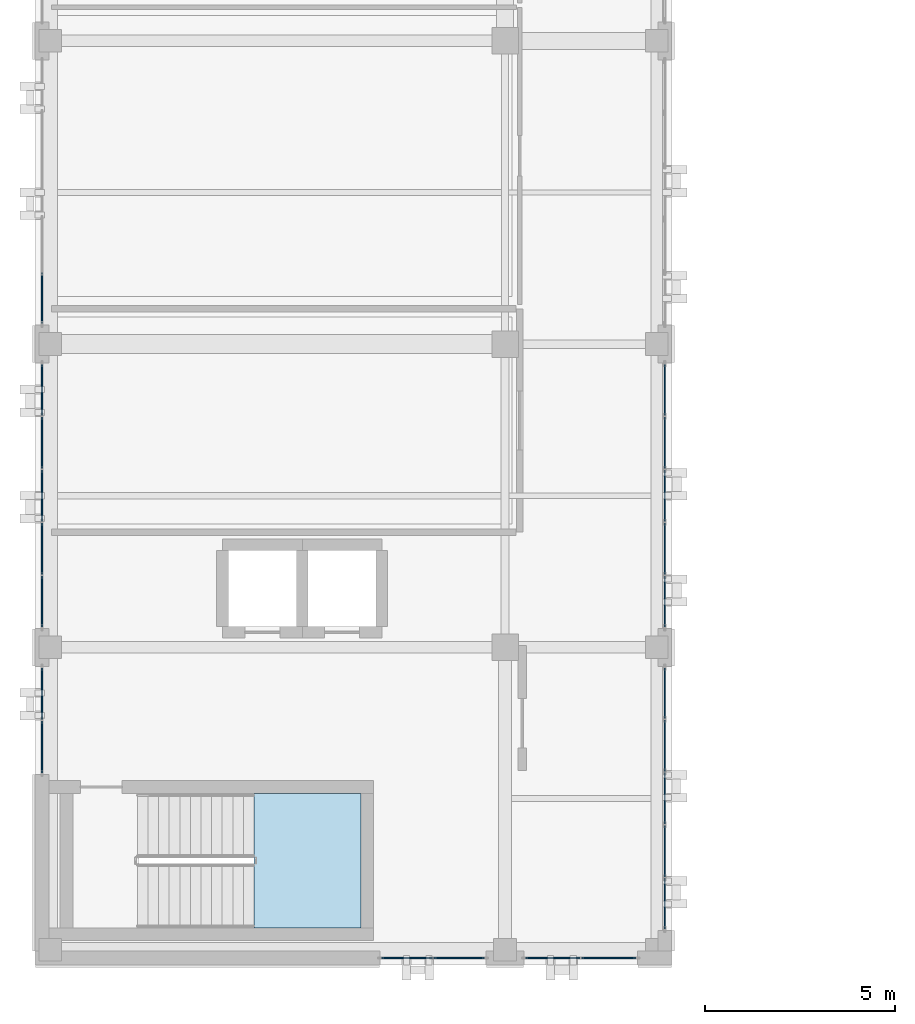
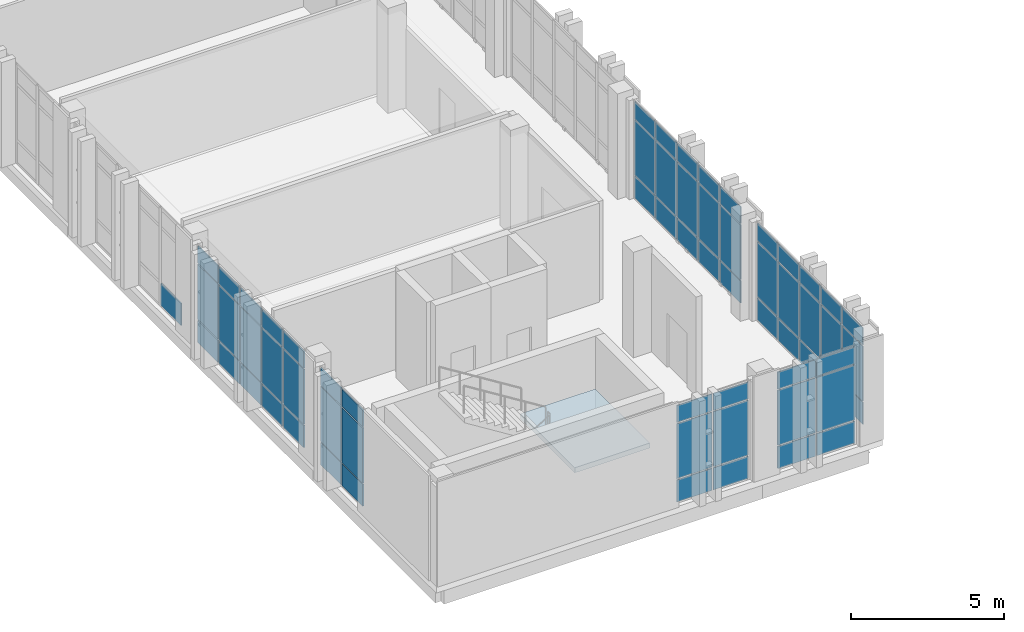
# One storey, part 51 of 77: 64 plates, 1 slab, 8 elements without a shape of their own.
"""IFC4 building model written with IfcOpenShell, lengths in metres."""

from ifc_helpers import new_model, si_unit, direction, frame, origin, origin_2d, place, context, subcontext, project, spatial, polyline, rectangle, outline, extrude, material, layer, layer_set, type_object, element, aggregate, save


model = new_model("IFC4")

# Units and contexts
model_context = context("Model", 3, precision=1e-05, world=origin(), true_north=direction((0.0, 1.0)))
body_context = subcontext(model_context, "Body", "Model", "MODEL_VIEW")
ifc_project = project(units=[si_unit("LENGTHUNIT", "METRE"), si_unit("AREAUNIT", "SQUARE_METRE"), si_unit("VOLUMEUNIT", "CUBIC_METRE"), si_unit("PLANEANGLEUNIT", "RADIAN"), si_unit("MASSUNIT", "GRAM", prefix="KILO")], contexts=[model_context])

# Site, building, storey
site_placement = place(None, origin())
site = spatial("IfcSite", under=ifc_project, at=site_placement, CompositionType="ELEMENT")
building_placement = place(site_placement, origin())
building = spatial("IfcBuilding", under=site, at=building_placement, Name="Qalavern Law Courts", CompositionType="ELEMENT")
storey_placement = place(building_placement, frame((0.0, 0.0, 27.0)))
storey = spatial("IfcBuildingStorey", under=building, at=storey_placement, Name="L06", CompositionType="ELEMENT", Elevation=27.0)

# Curtain wall, plates
ifc_material_1 = material(Name="Anodised aluminium and insulated glazing", Category="aluminium")
ifc_layer_1 = layer(ifc_material_1, 0.159912109375)
ifc_layer_set_1 = layer_set([ifc_layer_1], Name="Anodised aluminium and insulated glazing")
curtain_wall_type = type_object("IfcCurtainWallType", Name="ENV-CW-CHAMB", PredefinedType="USERDEFINED", material=ifc_layer_set_1)
curtain_wall_1_placement = place(storey_placement, origin())
curtain_wall_1 = element("IfcCurtainWall", 1, at=curtain_wall_1_placement, inside=storey, type_object=curtain_wall_type, Name="V3 unitised curtain wall L06 south 1", ObjectType="UNITISED CURTAIN WALL", PredefinedType="USERDEFINED")
ifc_material_2 = material(Name="Insulated low-E acoustic glazing", Category="glass")
ifc_layer_2 = layer(ifc_material_2, 0.031982421875)
ifc_layer_set_2 = layer_set([ifc_layer_2], Name="Insulated low-E acoustic glazing")
plate_type_1 = type_object("IfcPlateType", Name="ENV-CWP-32", PredefinedType="CURTAIN_PANEL", material=ifc_layer_set_2)
plate_1_placement = place(storey_placement, frame((11.81201171875, 41.205078125, 0.048095703125), z_axis=(0.0, 0.0, 1.0), x_axis=(1.0, 0.0, 0.0)))
plate_1 = element("IfcPlate", 2, at=plate_1_placement, type_object=plate_type_1, Name="CW-04 panel 1.1", PredefinedType="CURTAIN_PANEL", context=body_context, shape_type="SweptSolid", body=[
    extrude(rectangle(XDim=1.327880859375, YDim=0.031982421875, at=origin_2d()), origin(), (0.0, 0.0, 1.0), 0.8779296875),
])
plate_2_placement = place(storey_placement, frame((11.81201171875, 41.205078125, 0.973876953125), z_axis=(0.0, 0.0, 1.0), x_axis=(1.0, 0.0, 0.0)))
plate_2 = element("IfcPlate", 3, at=plate_2_placement, type_object=plate_type_1, Name="CW-04 panel 1.2", PredefinedType="CURTAIN_PANEL", context=body_context, shape_type="SweptSolid", body=[
    extrude(rectangle(XDim=1.327880859375, YDim=0.031982421875, at=origin_2d()), origin(), (0.0, 0.0, 1.0), 2.18701171875),
])
plate_3_placement = place(storey_placement, frame((11.81201171875, 41.205078125, 3.208984375), z_axis=(0.0, 0.0, 1.0), x_axis=(1.0, 0.0, 0.0)))
plate_3 = element("IfcPlate", 4, at=plate_3_placement, type_object=plate_type_1, Name="CW-04 panel 1.3", PredefinedType="CURTAIN_PANEL", context=body_context, shape_type="SweptSolid", body=[
    extrude(rectangle(XDim=1.327880859375, YDim=0.031982421875, at=origin_2d()), origin(), (0.0, 0.0, 1.0), 0.677978515625),
])
plate_4_placement = place(storey_placement, frame((13.18798828125, 41.205078125, 0.048095703125), z_axis=(0.0, 0.0, 1.0), x_axis=(1.0, 0.0, 0.0)))
plate_4 = element("IfcPlate", 5, at=plate_4_placement, type_object=plate_type_1, Name="CW-04 panel 2.1", PredefinedType="CURTAIN_PANEL", context=body_context, shape_type="SweptSolid", body=[
    extrude(rectangle(XDim=1.327880859375, YDim=0.031982421875, at=origin_2d()), origin(), (0.0, 0.0, 1.0), 0.8779296875),
])
plate_5_placement = place(storey_placement, frame((13.18798828125, 41.205078125, 0.973876953125), z_axis=(0.0, 0.0, 1.0), x_axis=(1.0, 0.0, 0.0)))
plate_5 = element("IfcPlate", 6, at=plate_5_placement, type_object=plate_type_1, Name="CW-04 panel 2.2", PredefinedType="CURTAIN_PANEL", context=body_context, shape_type="SweptSolid", body=[
    extrude(rectangle(XDim=1.327880859375, YDim=0.031982421875, at=origin_2d()), origin(), (0.0, 0.0, 1.0), 2.18701171875),
])
plate_6_placement = place(storey_placement, frame((13.18798828125, 41.205078125, 3.208984375), z_axis=(0.0, 0.0, 1.0), x_axis=(1.0, 0.0, 0.0)))
plate_6 = element("IfcPlate", 7, at=plate_6_placement, type_object=plate_type_1, Name="CW-04 panel 2.3", PredefinedType="CURTAIN_PANEL", context=body_context, shape_type="SweptSolid", body=[
    extrude(rectangle(XDim=1.327880859375, YDim=0.031982421875, at=origin_2d()), origin(), (0.0, 0.0, 1.0), 0.677978515625),
])
aggregate(curtain_wall_1, [plate_1, plate_2, plate_3, plate_4, plate_5, plate_6])

curtain_wall_2_placement = place(storey_placement, origin())
curtain_wall_2 = element("IfcCurtainWall", 8, at=curtain_wall_2_placement, inside=storey, type_object=curtain_wall_type, Name="V3 unitised curtain wall L06 east 1", ObjectType="UNITISED CURTAIN WALL", PredefinedType="USERDEFINED")
plate_7_placement = place(storey_placement, frame((18.614990234375, 42.6435546875, 0.048095703125), z_axis=(0.0, 0.0, 1.0), x_axis=(0.0, 1.0, 0.0)))
plate_7 = element("IfcPlate", 9, at=plate_7_placement, type_object=plate_type_1, Name="CW-04 panel 1.1", PredefinedType="CURTAIN_PANEL", context=body_context, shape_type="SweptSolid", body=[
    extrude(rectangle(XDim=1.321044921875, YDim=0.031982421875, at=origin_2d()), origin(), (0.0, 0.0, 1.0), 0.8779296875),
])
plate_8_placement = place(storey_placement, frame((18.614990234375, 42.6435546875, 0.973876953125), z_axis=(0.0, 0.0, 1.0), x_axis=(0.0, 1.0, 0.0)))
plate_8 = element("IfcPlate", 10, at=plate_8_placement, type_object=plate_type_1, Name="CW-04 panel 1.2", PredefinedType="CURTAIN_PANEL", context=body_context, shape_type="SweptSolid", body=[
    extrude(rectangle(XDim=1.321044921875, YDim=0.031982421875, at=origin_2d()), origin(), (0.0, 0.0, 1.0), 2.18701171875),
])
plate_9_placement = place(storey_placement, frame((18.614990234375, 42.6435546875, 3.208984375), z_axis=(0.0, 0.0, 1.0), x_axis=(0.0, 1.0, 0.0)))
plate_9 = element("IfcPlate", 11, at=plate_9_placement, type_object=plate_type_1, Name="CW-04 panel 1.3", PredefinedType="CURTAIN_PANEL", context=body_context, shape_type="SweptSolid", body=[
    extrude(rectangle(XDim=1.321044921875, YDim=0.031982421875, at=origin_2d()), origin(), (0.0, 0.0, 1.0), 0.677978515625),
])
plate_10_placement = place(storey_placement, frame((18.614990234375, 44.0244140625, 0.048095703125), z_axis=(0.0, 0.0, 1.0), x_axis=(0.0, 1.0, 0.0)))
plate_10 = element("IfcPlate", 12, at=plate_10_placement, type_object=plate_type_1, Name="CW-04 panel 2.1", PredefinedType="CURTAIN_PANEL", context=body_context, shape_type="SweptSolid", body=[
    extrude(rectangle(XDim=1.344970703125, YDim=0.031982421875, at=origin_2d()), origin(), (0.0, 0.0, 1.0), 0.8779296875),
])
plate_11_placement = place(storey_placement, frame((18.614990234375, 44.0244140625, 0.973876953125), z_axis=(0.0, 0.0, 1.0), x_axis=(0.0, 1.0, 0.0)))
plate_11 = element("IfcPlate", 13, at=plate_11_placement, type_object=plate_type_1, Name="CW-04 panel 2.2", PredefinedType="CURTAIN_PANEL", context=body_context, shape_type="SweptSolid", body=[
    extrude(rectangle(XDim=1.344970703125, YDim=0.031982421875, at=origin_2d()), origin(), (0.0, 0.0, 1.0), 2.18701171875),
])
plate_12_placement = place(storey_placement, frame((18.614990234375, 44.0244140625, 3.208984375), z_axis=(0.0, 0.0, 1.0), x_axis=(0.0, 1.0, 0.0)))
plate_12 = element("IfcPlate", 14, at=plate_12_placement, type_object=plate_type_1, Name="CW-04 panel 2.3", PredefinedType="CURTAIN_PANEL", context=body_context, shape_type="SweptSolid", body=[
    extrude(rectangle(XDim=1.344970703125, YDim=0.031982421875, at=origin_2d()), origin(), (0.0, 0.0, 1.0), 0.677978515625),
])
plate_13_placement = place(storey_placement, frame((18.614990234375, 45.41748046875, 0.048095703125), z_axis=(0.0, 0.0, 1.0), x_axis=(0.0, 1.0, 0.0)))
plate_13 = element("IfcPlate", 15, at=plate_13_placement, type_object=plate_type_1, Name="CW-04 panel 3.1", PredefinedType="CURTAIN_PANEL", context=body_context, shape_type="SweptSolid", body=[
    extrude(rectangle(XDim=1.344970703125, YDim=0.031982421875, at=origin_2d()), origin(), (0.0, 0.0, 1.0), 0.8779296875),
])
plate_14_placement = place(storey_placement, frame((18.614990234375, 45.41748046875, 0.973876953125), z_axis=(0.0, 0.0, 1.0), x_axis=(0.0, 1.0, 0.0)))
plate_14 = element("IfcPlate", 16, at=plate_14_placement, type_object=plate_type_1, Name="CW-04 panel 3.2", PredefinedType="CURTAIN_PANEL", context=body_context, shape_type="SweptSolid", body=[
    extrude(rectangle(XDim=1.344970703125, YDim=0.031982421875, at=origin_2d()), origin(), (0.0, 0.0, 1.0), 2.18701171875),
])
plate_15_placement = place(storey_placement, frame((18.614990234375, 45.41748046875, 3.208984375), z_axis=(0.0, 0.0, 1.0), x_axis=(0.0, 1.0, 0.0)))
plate_15 = element("IfcPlate", 17, at=plate_15_placement, type_object=plate_type_1, Name="CW-04 panel 3.3", PredefinedType="CURTAIN_PANEL", context=body_context, shape_type="SweptSolid", body=[
    extrude(rectangle(XDim=1.344970703125, YDim=0.031982421875, at=origin_2d()), origin(), (0.0, 0.0, 1.0), 0.677978515625),
])
plate_16_placement = place(storey_placement, frame((18.614990234375, 46.810546875, 0.048095703125), z_axis=(0.0, 0.0, 1.0), x_axis=(0.0, 1.0, 0.0)))
plate_16 = element("IfcPlate", 18, at=plate_16_placement, type_object=plate_type_1, Name="CW-04 panel 4.1", PredefinedType="CURTAIN_PANEL", context=body_context, shape_type="SweptSolid", body=[
    extrude(rectangle(XDim=1.344970703125, YDim=0.031982421875, at=origin_2d()), origin(), (0.0, 0.0, 1.0), 0.8779296875),
])
plate_17_placement = place(storey_placement, frame((18.614990234375, 46.810546875, 0.973876953125), z_axis=(0.0, 0.0, 1.0), x_axis=(0.0, 1.0, 0.0)))
plate_17 = element("IfcPlate", 19, at=plate_17_placement, type_object=plate_type_1, Name="CW-04 panel 4.2", PredefinedType="CURTAIN_PANEL", context=body_context, shape_type="SweptSolid", body=[
    extrude(rectangle(XDim=1.344970703125, YDim=0.031982421875, at=origin_2d()), origin(), (0.0, 0.0, 1.0), 2.18701171875),
])
plate_18_placement = place(storey_placement, frame((18.614990234375, 46.810546875, 3.208984375), z_axis=(0.0, 0.0, 1.0), x_axis=(0.0, 1.0, 0.0)))
plate_18 = element("IfcPlate", 20, at=plate_18_placement, type_object=plate_type_1, Name="CW-04 panel 4.3", PredefinedType="CURTAIN_PANEL", context=body_context, shape_type="SweptSolid", body=[
    extrude(rectangle(XDim=1.344970703125, YDim=0.031982421875, at=origin_2d()), origin(), (0.0, 0.0, 1.0), 0.677978515625),
])
plate_19_placement = place(storey_placement, frame((18.614990234375, 48.19140625, 0.048095703125), z_axis=(0.0, 0.0, 1.0), x_axis=(0.0, 1.0, 0.0)))
plate_19 = element("IfcPlate", 21, at=plate_19_placement, type_object=plate_type_1, Name="CW-04 panel 5.1", PredefinedType="CURTAIN_PANEL", context=body_context, shape_type="SweptSolid", body=[
    extrude(rectangle(XDim=1.321044921875, YDim=0.031982421875, at=origin_2d()), origin(), (0.0, 0.0, 1.0), 0.8779296875),
])
plate_20_placement = place(storey_placement, frame((18.614990234375, 48.19140625, 0.973876953125), z_axis=(0.0, 0.0, 1.0), x_axis=(0.0, 1.0, 0.0)))
plate_20 = element("IfcPlate", 22, at=plate_20_placement, type_object=plate_type_1, Name="CW-04 panel 5.2", PredefinedType="CURTAIN_PANEL", context=body_context, shape_type="SweptSolid", body=[
    extrude(rectangle(XDim=1.321044921875, YDim=0.031982421875, at=origin_2d()), origin(), (0.0, 0.0, 1.0), 2.18701171875),
])
plate_21_placement = place(storey_placement, frame((18.614990234375, 48.19140625, 3.208984375), z_axis=(0.0, 0.0, 1.0), x_axis=(0.0, 1.0, 0.0)))
plate_21 = element("IfcPlate", 23, at=plate_21_placement, type_object=plate_type_1, Name="CW-04 panel 5.3", PredefinedType="CURTAIN_PANEL", context=body_context, shape_type="SweptSolid", body=[
    extrude(rectangle(XDim=1.321044921875, YDim=0.031982421875, at=origin_2d()), origin(), (0.0, 0.0, 1.0), 0.677978515625),
])
aggregate(curtain_wall_2, [plate_7, plate_8, plate_9, plate_10, plate_11, plate_12, plate_13, plate_14, plate_15, plate_16, plate_17, plate_18, plate_19, plate_20, plate_21])

curtain_wall_3_placement = place(storey_placement, origin())
curtain_wall_3 = element("IfcCurtainWall", 24, at=curtain_wall_3_placement, inside=storey, type_object=curtain_wall_type, Name="V3 unitised curtain wall L06 south 2", ObjectType="UNITISED CURTAIN WALL", PredefinedType="USERDEFINED")
ifc_layer_3 = layer(ifc_material_2, 0.035888671875)
ifc_layer_set_3 = layer_set([ifc_layer_3], Name="Insulated low-E acoustic glazing")
plate_type_2 = type_object("IfcPlateType", Name="ENV-CWP-36", PredefinedType="CURTAIN_PANEL", material=ifc_layer_set_3)
plate_22_placement = place(storey_placement, frame((15.662109375, 41.205078125, 0.048095703125), z_axis=(0.0, 0.0, 1.0), x_axis=(1.0, 0.0, 0.0)))
plate_22 = element("IfcPlate", 25, at=plate_22_placement, type_object=plate_type_2, Name="CW-04 panel 1.1", PredefinedType="CURTAIN_PANEL", context=body_context, shape_type="SweptSolid", body=[
    extrude(rectangle(XDim=1.427978515625, YDim=0.035888671875, at=origin_2d()), origin(), (0.0, 0.0, 1.0), 0.8779296875),
])
plate_23_placement = place(storey_placement, frame((15.662109375, 41.205078125, 0.973876953125), z_axis=(0.0, 0.0, 1.0), x_axis=(1.0, 0.0, 0.0)))
plate_23 = element("IfcPlate", 26, at=plate_23_placement, type_object=plate_type_2, Name="CW-04 panel 1.2", PredefinedType="CURTAIN_PANEL", context=body_context, shape_type="SweptSolid", body=[
    extrude(rectangle(XDim=1.427978515625, YDim=0.035888671875, at=origin_2d()), origin(), (0.0, 0.0, 1.0), 2.18701171875),
])
plate_24_placement = place(storey_placement, frame((15.662109375, 41.205078125, 3.208984375), z_axis=(0.0, 0.0, 1.0), x_axis=(1.0, 0.0, 0.0)))
plate_24 = element("IfcPlate", 27, at=plate_24_placement, type_object=plate_type_2, Name="CW-04 panel 1.3", PredefinedType="CURTAIN_PANEL", context=body_context, shape_type="SweptSolid", body=[
    extrude(rectangle(XDim=1.427978515625, YDim=0.035888671875, at=origin_2d()), origin(), (0.0, 0.0, 1.0), 0.677978515625),
])
plate_25_placement = place(storey_placement, frame((17.137939453125, 41.205078125, 0.048095703125), z_axis=(0.0, 0.0, 1.0), x_axis=(1.0, 0.0, 0.0)))
plate_25 = element("IfcPlate", 28, at=plate_25_placement, type_object=plate_type_2, Name="CW-04 panel 2.1", PredefinedType="CURTAIN_PANEL", context=body_context, shape_type="SweptSolid", body=[
    extrude(rectangle(XDim=1.427978515625, YDim=0.035888671875, at=origin_2d()), origin(), (0.0, 0.0, 1.0), 0.8779296875),
])
plate_26_placement = place(storey_placement, frame((17.137939453125, 41.205078125, 0.973876953125), z_axis=(0.0, 0.0, 1.0), x_axis=(1.0, 0.0, 0.0)))
plate_26 = element("IfcPlate", 29, at=plate_26_placement, type_object=plate_type_2, Name="CW-04 panel 2.2", PredefinedType="CURTAIN_PANEL", context=body_context, shape_type="SweptSolid", body=[
    extrude(rectangle(XDim=1.427978515625, YDim=0.035888671875, at=origin_2d()), origin(), (0.0, 0.0, 1.0), 2.18701171875),
])
plate_27_placement = place(storey_placement, frame((17.137939453125, 41.205078125, 3.208984375), z_axis=(0.0, 0.0, 1.0), x_axis=(1.0, 0.0, 0.0)))
plate_27 = element("IfcPlate", 30, at=plate_27_placement, type_object=plate_type_2, Name="CW-04 panel 2.3", PredefinedType="CURTAIN_PANEL", context=body_context, shape_type="SweptSolid", body=[
    extrude(rectangle(XDim=1.427978515625, YDim=0.035888671875, at=origin_2d()), origin(), (0.0, 0.0, 1.0), 0.677978515625),
])
aggregate(curtain_wall_3, [plate_22, plate_23, plate_24, plate_25, plate_26, plate_27])

curtain_wall_4_placement = place(storey_placement, origin())
curtain_wall_4 = element("IfcCurtainWall", 31, at=curtain_wall_4_placement, inside=storey, type_object=curtain_wall_type, Name="V3 unitised curtain wall L06 east 2", ObjectType="UNITISED CURTAIN WALL", PredefinedType="USERDEFINED")
plate_28_placement = place(storey_placement, frame((18.614990234375, 50.612060546875, 0.048095703125), z_axis=(0.0, 0.0, 1.0), x_axis=(0.0, 1.0, 0.0)))
plate_28 = element("IfcPlate", 32, at=plate_28_placement, type_object=plate_type_2, Name="CW-04 panel 1.1", PredefinedType="CURTAIN_PANEL", context=body_context, shape_type="SweptSolid", body=[
    extrude(rectangle(XDim=1.327880859375, YDim=0.035888671875, at=origin_2d()), origin(), (0.0, 0.0, 1.0), 0.8779296875),
])
plate_29_placement = place(storey_placement, frame((18.614990234375, 50.612060546875, 0.973876953125), z_axis=(0.0, 0.0, 1.0), x_axis=(0.0, 1.0, 0.0)))
plate_29 = element("IfcPlate", 33, at=plate_29_placement, type_object=plate_type_2, Name="CW-04 panel 1.2", PredefinedType="CURTAIN_PANEL", context=body_context, shape_type="SweptSolid", body=[
    extrude(rectangle(XDim=1.327880859375, YDim=0.035888671875, at=origin_2d()), origin(), (0.0, 0.0, 1.0), 2.18701171875),
])
plate_30_placement = place(storey_placement, frame((18.614990234375, 50.612060546875, 3.208984375), z_axis=(0.0, 0.0, 1.0), x_axis=(0.0, 1.0, 0.0)))
plate_30 = element("IfcPlate", 34, at=plate_30_placement, type_object=plate_type_2, Name="CW-04 panel 1.3", PredefinedType="CURTAIN_PANEL", context=body_context, shape_type="SweptSolid", body=[
    extrude(rectangle(XDim=1.327880859375, YDim=0.035888671875, at=origin_2d()), origin(), (0.0, 0.0, 1.0), 0.677978515625),
])
plate_31_placement = place(storey_placement, frame((18.614990234375, 52.0, 0.048095703125), z_axis=(0.0, 0.0, 1.0), x_axis=(0.0, 1.0, 0.0)))
plate_31 = element("IfcPlate", 35, at=plate_31_placement, type_object=plate_type_2, Name="CW-04 panel 2.1", PredefinedType="CURTAIN_PANEL", context=body_context, shape_type="SweptSolid", body=[
    extrude(rectangle(XDim=1.35205078125, YDim=0.035888671875, at=origin_2d()), origin(), (0.0, 0.0, 1.0), 0.8779296875),
])
plate_32_placement = place(storey_placement, frame((18.614990234375, 52.0, 0.973876953125), z_axis=(0.0, 0.0, 1.0), x_axis=(0.0, 1.0, 0.0)))
plate_32 = element("IfcPlate", 36, at=plate_32_placement, type_object=plate_type_2, Name="CW-04 panel 2.2", PredefinedType="CURTAIN_PANEL", context=body_context, shape_type="SweptSolid", body=[
    extrude(rectangle(XDim=1.35205078125, YDim=0.035888671875, at=origin_2d()), origin(), (0.0, 0.0, 1.0), 2.18701171875),
])
plate_33_placement = place(storey_placement, frame((18.614990234375, 52.0, 3.208984375), z_axis=(0.0, 0.0, 1.0), x_axis=(0.0, 1.0, 0.0)))
plate_33 = element("IfcPlate", 37, at=plate_33_placement, type_object=plate_type_2, Name="CW-04 panel 2.3", PredefinedType="CURTAIN_PANEL", context=body_context, shape_type="SweptSolid", body=[
    extrude(rectangle(XDim=1.35205078125, YDim=0.035888671875, at=origin_2d()), origin(), (0.0, 0.0, 1.0), 0.677978515625),
])
plate_34_placement = place(storey_placement, frame((18.614990234375, 53.39990234375, 0.048095703125), z_axis=(0.0, 0.0, 1.0), x_axis=(0.0, 1.0, 0.0)))
plate_34 = element("IfcPlate", 38, at=plate_34_placement, type_object=plate_type_2, Name="CW-04 panel 3.1", PredefinedType="CURTAIN_PANEL", context=body_context, shape_type="SweptSolid", body=[
    extrude(rectangle(XDim=1.35205078125, YDim=0.035888671875, at=origin_2d()), origin(), (0.0, 0.0, 1.0), 0.8779296875),
])
plate_35_placement = place(storey_placement, frame((18.614990234375, 53.39990234375, 0.973876953125), z_axis=(0.0, 0.0, 1.0), x_axis=(0.0, 1.0, 0.0)))
plate_35 = element("IfcPlate", 39, at=plate_35_placement, type_object=plate_type_2, Name="CW-04 panel 3.2", PredefinedType="CURTAIN_PANEL", context=body_context, shape_type="SweptSolid", body=[
    extrude(rectangle(XDim=1.35205078125, YDim=0.035888671875, at=origin_2d()), origin(), (0.0, 0.0, 1.0), 2.18701171875),
])
plate_36_placement = place(storey_placement, frame((18.614990234375, 53.39990234375, 3.208984375), z_axis=(0.0, 0.0, 1.0), x_axis=(0.0, 1.0, 0.0)))
plate_36 = element("IfcPlate", 40, at=plate_36_placement, type_object=plate_type_2, Name="CW-04 panel 3.3", PredefinedType="CURTAIN_PANEL", context=body_context, shape_type="SweptSolid", body=[
    extrude(rectangle(XDim=1.35205078125, YDim=0.035888671875, at=origin_2d()), origin(), (0.0, 0.0, 1.0), 0.677978515625),
])
plate_37_placement = place(storey_placement, frame((18.614990234375, 54.800048828125, 0.048095703125), z_axis=(0.0, 0.0, 1.0), x_axis=(0.0, 1.0, 0.0)))
plate_37 = element("IfcPlate", 41, at=plate_37_placement, type_object=plate_type_2, Name="CW-04 panel 4.1", PredefinedType="CURTAIN_PANEL", context=body_context, shape_type="SweptSolid", body=[
    extrude(rectangle(XDim=1.35205078125, YDim=0.035888671875, at=origin_2d()), origin(), (0.0, 0.0, 1.0), 0.8779296875),
])
plate_38_placement = place(storey_placement, frame((18.614990234375, 54.800048828125, 0.973876953125), z_axis=(0.0, 0.0, 1.0), x_axis=(0.0, 1.0, 0.0)))
plate_38 = element("IfcPlate", 42, at=plate_38_placement, type_object=plate_type_2, Name="CW-04 panel 4.2", PredefinedType="CURTAIN_PANEL", context=body_context, shape_type="SweptSolid", body=[
    extrude(rectangle(XDim=1.35205078125, YDim=0.035888671875, at=origin_2d()), origin(), (0.0, 0.0, 1.0), 2.18701171875),
])
plate_39_placement = place(storey_placement, frame((18.614990234375, 54.800048828125, 3.208984375), z_axis=(0.0, 0.0, 1.0), x_axis=(0.0, 1.0, 0.0)))
plate_39 = element("IfcPlate", 43, at=plate_39_placement, type_object=plate_type_2, Name="CW-04 panel 4.3", PredefinedType="CURTAIN_PANEL", context=body_context, shape_type="SweptSolid", body=[
    extrude(rectangle(XDim=1.35205078125, YDim=0.035888671875, at=origin_2d()), origin(), (0.0, 0.0, 1.0), 0.677978515625),
])
plate_40_placement = place(storey_placement, frame((18.614990234375, 56.18798828125, 0.048095703125), z_axis=(0.0, 0.0, 1.0), x_axis=(0.0, 1.0, 0.0)))
plate_40 = element("IfcPlate", 44, at=plate_40_placement, type_object=plate_type_2, Name="CW-04 panel 5.1", PredefinedType="CURTAIN_PANEL", context=body_context, shape_type="SweptSolid", body=[
    extrude(rectangle(XDim=1.327880859375, YDim=0.035888671875, at=origin_2d()), origin(), (0.0, 0.0, 1.0), 0.8779296875),
])
plate_41_placement = place(storey_placement, frame((18.614990234375, 56.18798828125, 0.973876953125), z_axis=(0.0, 0.0, 1.0), x_axis=(0.0, 1.0, 0.0)))
plate_41 = element("IfcPlate", 45, at=plate_41_placement, type_object=plate_type_2, Name="CW-04 panel 5.2", PredefinedType="CURTAIN_PANEL", context=body_context, shape_type="SweptSolid", body=[
    extrude(rectangle(XDim=1.327880859375, YDim=0.035888671875, at=origin_2d()), origin(), (0.0, 0.0, 1.0), 2.18701171875),
])
plate_42_placement = place(storey_placement, frame((18.614990234375, 56.18798828125, 3.208984375), z_axis=(0.0, 0.0, 1.0), x_axis=(0.0, 1.0, 0.0)))
plate_42 = element("IfcPlate", 46, at=plate_42_placement, type_object=plate_type_2, Name="CW-04 panel 5.3", PredefinedType="CURTAIN_PANEL", context=body_context, shape_type="SweptSolid", body=[
    extrude(rectangle(XDim=1.327880859375, YDim=0.035888671875, at=origin_2d()), origin(), (0.0, 0.0, 1.0), 0.677978515625),
])
aggregate(curtain_wall_4, [plate_28, plate_29, plate_30, plate_31, plate_32, plate_33, plate_34, plate_35, plate_36, plate_37, plate_38, plate_39, plate_40, plate_41, plate_42])

# Curtain wall, plate
curtain_wall_5_placement = place(storey_placement, origin())
curtain_wall_5 = element("IfcCurtainWall", 47, at=curtain_wall_5_placement, inside=storey, type_object=curtain_wall_type, Name="V3 unitised curtain wall L06 west 3", ObjectType="UNITISED CURTAIN WALL", PredefinedType="USERDEFINED")
ifc_layer_4 = layer(ifc_material_2, 0.0400390625)
ifc_layer_set_4 = layer_set([ifc_layer_4], Name="Insulated low-E acoustic glazing")
plate_type_3 = type_object("IfcPlateType", Name="ENV-CWP-40", PredefinedType="CURTAIN_PANEL", material=ifc_layer_set_4)
plate_43_placement = place(storey_placement, frame((2.18505859375, 58.612060546875, 0.048095703125), z_axis=(0.0, 0.0, 1.0), x_axis=(0.0, -1.0, 0.0)))
plate_43 = element("IfcPlate", 48, at=plate_43_placement, type_object=plate_type_3, Name="CW-04 panel 5.1", PredefinedType="CURTAIN_PANEL", context=body_context, shape_type="SweptSolid", body=[
    extrude(rectangle(XDim=1.327880859375, YDim=0.0400390625, at=origin_2d()), origin(), (0.0, 0.0, 1.0), 0.8779296875),
])
aggregate(curtain_wall_5, [plate_43])

# Curtain wall, plates
curtain_wall_6_placement = place(storey_placement, origin())
curtain_wall_6 = element("IfcCurtainWall", 49, at=curtain_wall_6_placement, inside=storey, type_object=curtain_wall_type, Name="V3 unitised curtain wall L06 west 4", ObjectType="UNITISED CURTAIN WALL", PredefinedType="USERDEFINED")
ifc_layer_5 = layer(ifc_material_2, 0.0439453125)
ifc_layer_set_5 = layer_set([ifc_layer_5], Name="Insulated low-E acoustic glazing")
plate_type_4 = type_object("IfcPlateType", Name="ENV-CWP-44", PredefinedType="CURTAIN_PANEL", material=ifc_layer_set_5)
plate_44_placement = place(storey_placement, frame((2.18505859375, 56.18798828125, 0.048095703125), z_axis=(0.0, 0.0, 1.0), x_axis=(0.0, -1.0, 0.0)))
plate_44 = element("IfcPlate", 50, at=plate_44_placement, type_object=plate_type_4, Name="CW-04 panel 1.1", PredefinedType="CURTAIN_PANEL", context=body_context, shape_type="SweptSolid", body=[
    extrude(rectangle(XDim=1.327880859375, YDim=0.0439453125, at=origin_2d()), origin(), (0.0, 0.0, 1.0), 0.8779296875),
])
plate_45_placement = place(storey_placement, frame((2.18505859375, 56.18798828125, 0.973876953125), z_axis=(0.0, 0.0, 1.0), x_axis=(0.0, -1.0, 0.0)))
plate_45 = element("IfcPlate", 51, at=plate_45_placement, type_object=plate_type_4, Name="CW-04 panel 1.2", PredefinedType="CURTAIN_PANEL", context=body_context, shape_type="SweptSolid", body=[
    extrude(rectangle(XDim=1.327880859375, YDim=0.0439453125, at=origin_2d()), origin(), (0.0, 0.0, 1.0), 2.18701171875),
])
plate_46_placement = place(storey_placement, frame((2.18505859375, 56.18798828125, 3.208984375), z_axis=(0.0, 0.0, 1.0), x_axis=(0.0, -1.0, 0.0)))
plate_46 = element("IfcPlate", 52, at=plate_46_placement, type_object=plate_type_4, Name="CW-04 panel 1.3", PredefinedType="CURTAIN_PANEL", context=body_context, shape_type="SweptSolid", body=[
    extrude(rectangle(XDim=1.327880859375, YDim=0.0439453125, at=origin_2d()), origin(), (0.0, 0.0, 1.0), 0.677978515625),
])
plate_47_placement = place(storey_placement, frame((2.18505859375, 54.800048828125, 0.048095703125), z_axis=(0.0, 0.0, 1.0), x_axis=(0.0, -1.0, 0.0)))
plate_47 = element("IfcPlate", 53, at=plate_47_placement, type_object=plate_type_4, Name="CW-04 panel 2.1", PredefinedType="CURTAIN_PANEL", context=body_context, shape_type="SweptSolid", body=[
    extrude(rectangle(XDim=1.35205078125, YDim=0.0439453125, at=origin_2d()), origin(), (0.0, 0.0, 1.0), 0.8779296875),
])
plate_48_placement = place(storey_placement, frame((2.18505859375, 54.800048828125, 0.973876953125), z_axis=(0.0, 0.0, 1.0), x_axis=(0.0, -1.0, 0.0)))
plate_48 = element("IfcPlate", 54, at=plate_48_placement, type_object=plate_type_4, Name="CW-04 panel 2.2", PredefinedType="CURTAIN_PANEL", context=body_context, shape_type="SweptSolid", body=[
    extrude(rectangle(XDim=1.35205078125, YDim=0.0439453125, at=origin_2d()), origin(), (0.0, 0.0, 1.0), 2.18701171875),
])
plate_49_placement = place(storey_placement, frame((2.18505859375, 54.800048828125, 3.208984375), z_axis=(0.0, 0.0, 1.0), x_axis=(0.0, -1.0, 0.0)))
plate_49 = element("IfcPlate", 55, at=plate_49_placement, type_object=plate_type_4, Name="CW-04 panel 2.3", PredefinedType="CURTAIN_PANEL", context=body_context, shape_type="SweptSolid", body=[
    extrude(rectangle(XDim=1.35205078125, YDim=0.0439453125, at=origin_2d()), origin(), (0.0, 0.0, 1.0), 0.677978515625),
])
plate_50_placement = place(storey_placement, frame((2.18505859375, 53.39990234375, 0.048095703125), z_axis=(0.0, 0.0, 1.0), x_axis=(0.0, -1.0, 0.0)))
plate_50 = element("IfcPlate", 56, at=plate_50_placement, type_object=plate_type_4, Name="CW-04 panel 3.1", PredefinedType="CURTAIN_PANEL", context=body_context, shape_type="SweptSolid", body=[
    extrude(rectangle(XDim=1.35205078125, YDim=0.0439453125, at=origin_2d()), origin(), (0.0, 0.0, 1.0), 0.8779296875),
])
plate_51_placement = place(storey_placement, frame((2.18505859375, 53.39990234375, 0.973876953125), z_axis=(0.0, 0.0, 1.0), x_axis=(0.0, -1.0, 0.0)))
plate_51 = element("IfcPlate", 57, at=plate_51_placement, type_object=plate_type_4, Name="CW-04 panel 3.2", PredefinedType="CURTAIN_PANEL", context=body_context, shape_type="SweptSolid", body=[
    extrude(rectangle(XDim=1.35205078125, YDim=0.0439453125, at=origin_2d()), origin(), (0.0, 0.0, 1.0), 2.18701171875),
])
plate_52_placement = place(storey_placement, frame((2.18505859375, 53.39990234375, 3.208984375), z_axis=(0.0, 0.0, 1.0), x_axis=(0.0, -1.0, 0.0)))
plate_52 = element("IfcPlate", 58, at=plate_52_placement, type_object=plate_type_4, Name="CW-04 panel 3.3", PredefinedType="CURTAIN_PANEL", context=body_context, shape_type="SweptSolid", body=[
    extrude(rectangle(XDim=1.35205078125, YDim=0.0439453125, at=origin_2d()), origin(), (0.0, 0.0, 1.0), 0.677978515625),
])
plate_53_placement = place(storey_placement, frame((2.18505859375, 52.0, 0.048095703125), z_axis=(0.0, 0.0, 1.0), x_axis=(0.0, -1.0, 0.0)))
plate_53 = element("IfcPlate", 59, at=plate_53_placement, type_object=plate_type_4, Name="CW-04 panel 4.1", PredefinedType="CURTAIN_PANEL", context=body_context, shape_type="SweptSolid", body=[
    extrude(rectangle(XDim=1.35205078125, YDim=0.0439453125, at=origin_2d()), origin(), (0.0, 0.0, 1.0), 0.8779296875),
])
plate_54_placement = place(storey_placement, frame((2.18505859375, 52.0, 0.973876953125), z_axis=(0.0, 0.0, 1.0), x_axis=(0.0, -1.0, 0.0)))
plate_54 = element("IfcPlate", 60, at=plate_54_placement, type_object=plate_type_4, Name="CW-04 panel 4.2", PredefinedType="CURTAIN_PANEL", context=body_context, shape_type="SweptSolid", body=[
    extrude(rectangle(XDim=1.35205078125, YDim=0.0439453125, at=origin_2d()), origin(), (0.0, 0.0, 1.0), 2.18701171875),
])
plate_55_placement = place(storey_placement, frame((2.18505859375, 52.0, 3.208984375), z_axis=(0.0, 0.0, 1.0), x_axis=(0.0, -1.0, 0.0)))
plate_55 = element("IfcPlate", 61, at=plate_55_placement, type_object=plate_type_4, Name="CW-04 panel 4.3", PredefinedType="CURTAIN_PANEL", context=body_context, shape_type="SweptSolid", body=[
    extrude(rectangle(XDim=1.35205078125, YDim=0.0439453125, at=origin_2d()), origin(), (0.0, 0.0, 1.0), 0.677978515625),
])
plate_56_placement = place(storey_placement, frame((2.18505859375, 50.612060546875, 0.048095703125), z_axis=(0.0, 0.0, 1.0), x_axis=(0.0, -1.0, 0.0)))
plate_56 = element("IfcPlate", 62, at=plate_56_placement, type_object=plate_type_4, Name="CW-04 panel 5.1", PredefinedType="CURTAIN_PANEL", context=body_context, shape_type="SweptSolid", body=[
    extrude(rectangle(XDim=1.327880859375, YDim=0.0439453125, at=origin_2d()), origin(), (0.0, 0.0, 1.0), 0.8779296875),
])
plate_57_placement = place(storey_placement, frame((2.18505859375, 50.612060546875, 0.973876953125), z_axis=(0.0, 0.0, 1.0), x_axis=(0.0, -1.0, 0.0)))
plate_57 = element("IfcPlate", 63, at=plate_57_placement, type_object=plate_type_4, Name="CW-04 panel 5.2", PredefinedType="CURTAIN_PANEL", context=body_context, shape_type="SweptSolid", body=[
    extrude(rectangle(XDim=1.327880859375, YDim=0.0439453125, at=origin_2d()), origin(), (0.0, 0.0, 1.0), 2.18701171875),
])
plate_58_placement = place(storey_placement, frame((2.18505859375, 50.612060546875, 3.208984375), z_axis=(0.0, 0.0, 1.0), x_axis=(0.0, -1.0, 0.0)))
plate_58 = element("IfcPlate", 64, at=plate_58_placement, type_object=plate_type_4, Name="CW-04 panel 5.3", PredefinedType="CURTAIN_PANEL", context=body_context, shape_type="SweptSolid", body=[
    extrude(rectangle(XDim=1.327880859375, YDim=0.0439453125, at=origin_2d()), origin(), (0.0, 0.0, 1.0), 0.677978515625),
])
aggregate(curtain_wall_6, [plate_44, plate_45, plate_46, plate_47, plate_48, plate_49, plate_50, plate_51, plate_52, plate_53, plate_54, plate_55, plate_56, plate_57, plate_58])

curtain_wall_7_placement = place(storey_placement, origin())
curtain_wall_7 = element("IfcCurtainWall", 65, at=curtain_wall_7_placement, inside=storey, type_object=curtain_wall_type, Name="V3 unitised curtain wall L06 west 5", ObjectType="UNITISED CURTAIN WALL", PredefinedType="USERDEFINED")
ifc_layer_6 = layer(ifc_material_2, 0.048095703125)
ifc_layer_set_6 = layer_set([ifc_layer_6], Name="Insulated low-E acoustic glazing")
plate_type_5 = type_object("IfcPlateType", Name="ENV-CWP-48", PredefinedType="CURTAIN_PANEL", material=ifc_layer_set_6)
plate_59_placement = place(storey_placement, frame((2.18505859375, 48.175537109375, 0.048095703125), z_axis=(0.0, 0.0, 1.0), x_axis=(0.0, -1.0, 0.0)))
plate_59 = element("IfcPlate", 66, at=plate_59_placement, type_object=plate_type_5, Name="CW-04 panel 1.1", PredefinedType="CURTAIN_PANEL", context=body_context, shape_type="SweptSolid", body=[
    extrude(rectangle(XDim=1.35302734375, YDim=0.048095703125, at=origin_2d()), origin(), (0.0, 0.0, 1.0), 0.8779296875),
])
plate_60_placement = place(storey_placement, frame((2.18505859375, 48.175537109375, 0.973876953125), z_axis=(0.0, 0.0, 1.0), x_axis=(0.0, -1.0, 0.0)))
plate_60 = element("IfcPlate", 67, at=plate_60_placement, type_object=plate_type_5, Name="CW-04 panel 1.2", PredefinedType="CURTAIN_PANEL", context=body_context, shape_type="SweptSolid", body=[
    extrude(rectangle(XDim=1.35302734375, YDim=0.048095703125, at=origin_2d()), origin(), (0.0, 0.0, 1.0), 2.18701171875),
])
plate_61_placement = place(storey_placement, frame((2.18505859375, 48.175537109375, 3.208984375), z_axis=(0.0, 0.0, 1.0), x_axis=(0.0, -1.0, 0.0)))
plate_61 = element("IfcPlate", 68, at=plate_61_placement, type_object=plate_type_5, Name="CW-04 panel 1.3", PredefinedType="CURTAIN_PANEL", context=body_context, shape_type="SweptSolid", body=[
    extrude(rectangle(XDim=1.35302734375, YDim=0.048095703125, at=origin_2d()), origin(), (0.0, 0.0, 1.0), 0.677978515625),
])
plate_62_placement = place(storey_placement, frame((2.18505859375, 46.7744140625, 0.048095703125), z_axis=(0.0, 0.0, 1.0), x_axis=(0.0, -1.0, 0.0)))
plate_62 = element("IfcPlate", 69, at=plate_62_placement, type_object=plate_type_5, Name="CW-04 panel 2.1", PredefinedType="CURTAIN_PANEL", context=body_context, shape_type="SweptSolid", body=[
    extrude(rectangle(XDim=1.35302734375, YDim=0.048095703125, at=origin_2d()), origin(), (0.0, 0.0, 1.0), 0.8779296875),
])
plate_63_placement = place(storey_placement, frame((2.18505859375, 46.7744140625, 0.973876953125), z_axis=(0.0, 0.0, 1.0), x_axis=(0.0, -1.0, 0.0)))
plate_63 = element("IfcPlate", 70, at=plate_63_placement, type_object=plate_type_5, Name="CW-04 panel 2.2", PredefinedType="CURTAIN_PANEL", context=body_context, shape_type="SweptSolid", body=[
    extrude(rectangle(XDim=1.35302734375, YDim=0.048095703125, at=origin_2d()), origin(), (0.0, 0.0, 1.0), 2.18701171875),
])
plate_64_placement = place(storey_placement, frame((2.18505859375, 46.7744140625, 3.208984375), z_axis=(0.0, 0.0, 1.0), x_axis=(0.0, -1.0, 0.0)))
plate_64 = element("IfcPlate", 71, at=plate_64_placement, type_object=plate_type_5, Name="CW-04 panel 2.3", PredefinedType="CURTAIN_PANEL", context=body_context, shape_type="SweptSolid", body=[
    extrude(rectangle(XDim=1.35302734375, YDim=0.048095703125, at=origin_2d()), origin(), (0.0, 0.0, 1.0), 0.677978515625),
])
aggregate(curtain_wall_7, [plate_59, plate_60, plate_61, plate_62, plate_63, plate_64])

# Stair, slab
ifc_material_3 = material(Name="Concrete C35/45", Category="concrete")
stair_type = type_object("IfcStairType", Name="INT-STAIR-1700", PredefinedType="HALF_TURN_STAIR", material=ifc_material_3)
stair_placement = place(storey_placement, origin())
stair = element("IfcStair", 72, at=stair_placement, inside=storey, type_object=stair_type, Name="L06 ST-K2", PredefinedType="HALF_TURN_STAIR")
ifc_layer_7 = layer(ifc_material_3, 0.199951171875)
ifc_layer_set_7 = layer_set([ifc_layer_7], Name="Concrete C35/45")
slab_type = type_object("IfcSlabType", Name="INT-LANDING-200", PredefinedType="LANDING", material=ifc_layer_set_7)
slab_placement = place(storey_placement, frame((0.0, 0.0, 1.89990234375)))
slab = element("IfcSlab", 73, at=slab_placement, type_object=slab_type, Name="ST-K2 landing 1", PredefinedType="LANDING", context=body_context, shape_type="SweptSolid", body=[
    extrude(outline(polyline([(7.780029296875, 42.0), (10.60009765625, 42.0), (10.60009765625, 45.550048828125), (7.780029296875, 45.550048828125), (7.780029296875, 42.0)])), origin(), (0.0, 0.0, 1.0), 0.2001953125),
])
aggregate(stair, [slab])

save(model, "model.ifc")
